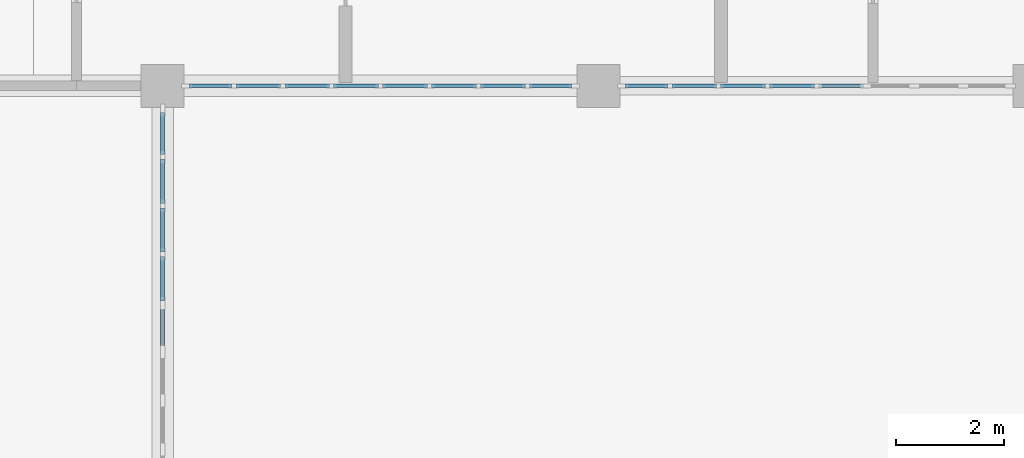
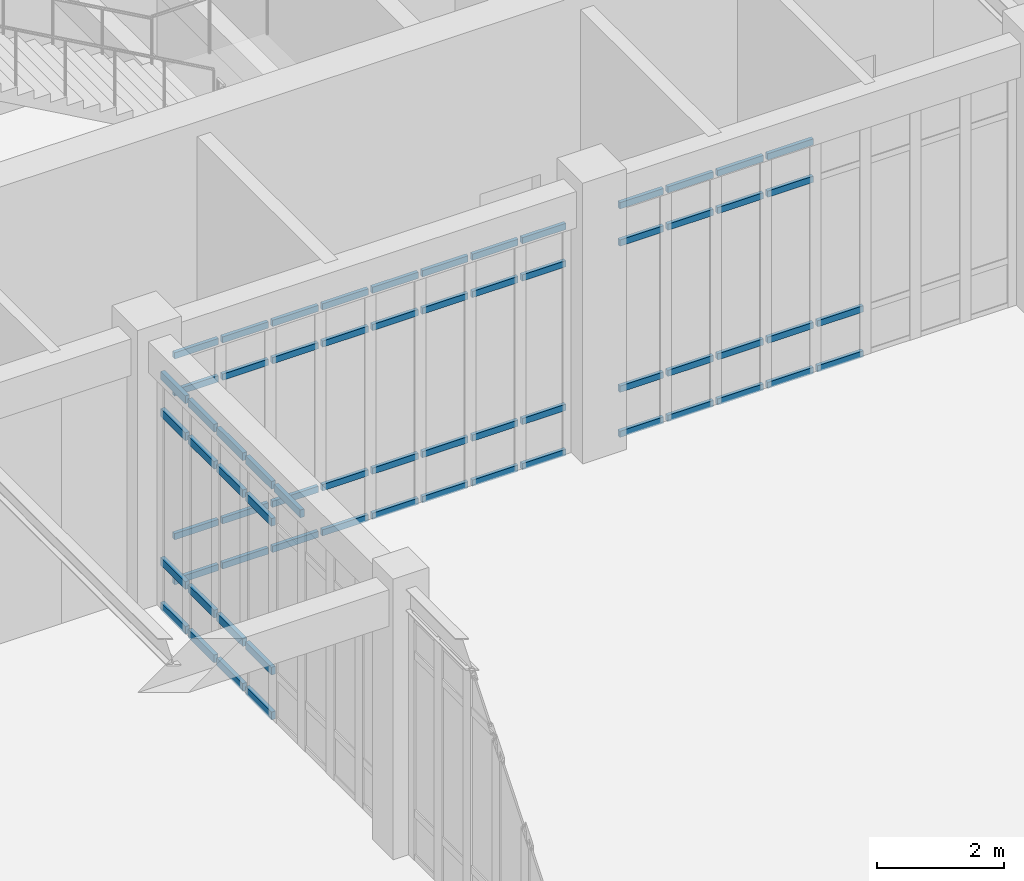
# One storey, part 24 of 62: 67 members, 3 elements without a shape of their own.
"""IFC4 building model written with IfcOpenShell, lengths in metres."""

from ifc_helpers import new_model, si_unit, direction, frame, origin, origin_2d, place, context, subcontext, project, spatial, rectangle, extrude, material, material_profile, profile_set, type_object, element, aggregate, save


model = new_model("IFC4")

# Units and contexts
model_context = context("Model", 3, precision=1e-05, world=origin(), true_north=direction((0.0, 1.0)))
body_context = subcontext(model_context, "Body", "Model", "MODEL_VIEW")
ifc_project = project(units=[si_unit("LENGTHUNIT", "METRE"), si_unit("AREAUNIT", "SQUARE_METRE"), si_unit("VOLUMEUNIT", "CUBIC_METRE"), si_unit("PLANEANGLEUNIT", "RADIAN"), si_unit("MASSUNIT", "GRAM", prefix="KILO")], contexts=[model_context])

# Site, building, storey
site_placement = place(None, origin())
site = spatial("IfcSite", under=ifc_project, at=site_placement, CompositionType="ELEMENT")
building_placement = place(site_placement, origin())
building = spatial("IfcBuilding", under=site, at=building_placement, Name="Tarnveldt Square Police Headquarters", CompositionType="ELEMENT")
storey_placement = place(building_placement, origin())
storey = spatial("IfcBuildingStorey", under=building, at=storey_placement, Name="L00", CompositionType="ELEMENT", Elevation=0.0)

# Curtain wall, members
ifc_material_1 = material(Name="Triple-glazed low-e laminated vision glass", Category="glass")
curtain_wall_type_1 = type_object("IfcCurtainWallType", Name="CW-LB-727x441", PredefinedType="USERDEFINED", material=ifc_material_1)
curtain_wall_1_placement = place(storey_placement, origin())
curtain_wall_1 = element("IfcCurtainWall", 1, at=curtain_wall_1_placement, inside=storey, type_object=curtain_wall_type_1, Name="L00 Curtain Wall CW-L00-099", ObjectType="GLAZED CURTAIN WALL", PredefinedType="USERDEFINED")
ifc_material_2 = material(Name="Thermally broken anodised aluminium 6063-T6", Category="aluminium")
ifc_material_profile_1 = material_profile(ifc_material_2, rectangle(XDim=0.06494140625, YDim=0.1201171875, at=origin_2d()), Name="CW-T65x120")
ifc_profile_set_1 = profile_set([ifc_material_profile_1], Name="Thermally broken anodised aluminium 6063-T6")
member_type_1 = type_object("IfcMemberType", Name="CWT-65x120", PredefinedType="USERDEFINED", material=ifc_profile_set_1)
member_1_placement = place(storey_placement, frame((49.090087890625, 96.0, 0.032470703125), z_axis=(1.0, 0.0, 0.0), x_axis=(0.0, 1.0, 0.0)))
member_1 = element("IfcMember", 2, at=member_1_placement, type_object=member_type_1, Name="CW-LB56 transom 1.1", ObjectType="TRANSOM", PredefinedType="USERDEFINED", context=body_context, shape_type="SweptSolid", body=[
    extrude(rectangle(XDim=0.06494140625, YDim=0.1201171875, at=origin_2d()), origin(), (0.0, 0.0, 1.0), 0.796142578125),
])
member_2_placement = place(storey_placement, frame((49.090087890625, 96.0, 0.89990234375), z_axis=(1.0, 0.0, 0.0), x_axis=(0.0, 1.0, 0.0)))
member_2 = element("IfcMember", 3, at=member_2_placement, type_object=member_type_1, Name="CW-LB56 transom 1.2", ObjectType="TRANSOM", PredefinedType="USERDEFINED", context=body_context, shape_type="SweptSolid", body=[
    extrude(rectangle(XDim=0.06494140625, YDim=0.1201171875, at=origin_2d()), origin(), (0.0, 0.0, 1.0), 0.796142578125),
])
member_3_placement = place(storey_placement, frame((49.090087890625, 96.0, 3.662109375), z_axis=(1.0, 0.0, 0.0), x_axis=(0.0, 1.0, 0.0)))
member_3 = element("IfcMember", 4, at=member_3_placement, type_object=member_type_1, Name="CW-LB56 transom 1.3", ObjectType="TRANSOM", PredefinedType="USERDEFINED", context=body_context, shape_type="SweptSolid", body=[
    extrude(rectangle(XDim=0.06494140625, YDim=0.1201171875, at=origin_2d()), origin(), (0.0, 0.0, 1.0), 0.796142578125),
])
member_4_placement = place(storey_placement, frame((49.090087890625, 96.0, 4.37939453125), z_axis=(1.0, 0.0, 0.0), x_axis=(0.0, 1.0, 0.0)))
member_4 = element("IfcMember", 5, at=member_4_placement, type_object=member_type_1, Name="CW-LB56 transom 1.4", ObjectType="TRANSOM", PredefinedType="USERDEFINED", context=body_context, shape_type="SweptSolid", body=[
    extrude(rectangle(XDim=0.06494140625, YDim=0.1201171875, at=origin_2d()), origin(), (0.0, 0.0, 1.0), 0.796142578125),
])
member_5_placement = place(storey_placement, frame((49.961181640625, 96.0, 0.032470703125), z_axis=(1.0, 0.0, 0.0), x_axis=(0.0, 1.0, 0.0)))
member_5 = element("IfcMember", 6, at=member_5_placement, type_object=member_type_1, Name="CW-LB56 transom 2.1", ObjectType="TRANSOM", PredefinedType="USERDEFINED", context=body_context, shape_type="SweptSolid", body=[
    extrude(rectangle(XDim=0.06494140625, YDim=0.1201171875, at=origin_2d()), origin(), (0.0, 0.0, 1.0), 0.833740234375),
])
member_6_placement = place(storey_placement, frame((49.961181640625, 96.0, 0.89990234375), z_axis=(1.0, 0.0, 0.0), x_axis=(0.0, 1.0, 0.0)))
member_6 = element("IfcMember", 7, at=member_6_placement, type_object=member_type_1, Name="CW-LB56 transom 2.2", ObjectType="TRANSOM", PredefinedType="USERDEFINED", context=body_context, shape_type="SweptSolid", body=[
    extrude(rectangle(XDim=0.06494140625, YDim=0.1201171875, at=origin_2d()), origin(), (0.0, 0.0, 1.0), 0.833740234375),
])
member_7_placement = place(storey_placement, frame((49.961181640625, 96.0, 3.662109375), z_axis=(1.0, 0.0, 0.0), x_axis=(0.0, 1.0, 0.0)))
member_7 = element("IfcMember", 8, at=member_7_placement, type_object=member_type_1, Name="CW-LB56 transom 2.3", ObjectType="TRANSOM", PredefinedType="USERDEFINED", context=body_context, shape_type="SweptSolid", body=[
    extrude(rectangle(XDim=0.06494140625, YDim=0.1201171875, at=origin_2d()), origin(), (0.0, 0.0, 1.0), 0.833740234375),
])
member_8_placement = place(storey_placement, frame((49.961181640625, 96.0, 4.37939453125), z_axis=(1.0, 0.0, 0.0), x_axis=(0.0, 1.0, 0.0)))
member_8 = element("IfcMember", 9, at=member_8_placement, type_object=member_type_1, Name="CW-LB56 transom 2.4", ObjectType="TRANSOM", PredefinedType="USERDEFINED", context=body_context, shape_type="SweptSolid", body=[
    extrude(rectangle(XDim=0.06494140625, YDim=0.1201171875, at=origin_2d()), origin(), (0.0, 0.0, 1.0), 0.833740234375),
])
member_9_placement = place(storey_placement, frame((50.8701171875, 96.0, 0.032470703125), z_axis=(1.0, 0.0, 0.0), x_axis=(0.0, 1.0, 0.0)))
member_9 = element("IfcMember", 10, at=member_9_placement, type_object=member_type_1, Name="CW-LB56 transom 3.1", ObjectType="TRANSOM", PredefinedType="USERDEFINED", context=body_context, shape_type="SweptSolid", body=[
    extrude(rectangle(XDim=0.06494140625, YDim=0.1201171875, at=origin_2d()), origin(), (0.0, 0.0, 1.0), 0.833740234375),
])
member_10_placement = place(storey_placement, frame((50.8701171875, 96.0, 0.89990234375), z_axis=(1.0, 0.0, 0.0), x_axis=(0.0, 1.0, 0.0)))
member_10 = element("IfcMember", 11, at=member_10_placement, type_object=member_type_1, Name="CW-LB56 transom 3.2", ObjectType="TRANSOM", PredefinedType="USERDEFINED", context=body_context, shape_type="SweptSolid", body=[
    extrude(rectangle(XDim=0.06494140625, YDim=0.1201171875, at=origin_2d()), origin(), (0.0, 0.0, 1.0), 0.833740234375),
])
member_11_placement = place(storey_placement, frame((50.8701171875, 96.0, 3.662109375), z_axis=(1.0, 0.0, 0.0), x_axis=(0.0, 1.0, 0.0)))
member_11 = element("IfcMember", 12, at=member_11_placement, type_object=member_type_1, Name="CW-LB56 transom 3.3", ObjectType="TRANSOM", PredefinedType="USERDEFINED", context=body_context, shape_type="SweptSolid", body=[
    extrude(rectangle(XDim=0.06494140625, YDim=0.1201171875, at=origin_2d()), origin(), (0.0, 0.0, 1.0), 0.833740234375),
])
member_12_placement = place(storey_placement, frame((50.8701171875, 96.0, 4.37939453125), z_axis=(1.0, 0.0, 0.0), x_axis=(0.0, 1.0, 0.0)))
member_12 = element("IfcMember", 13, at=member_12_placement, type_object=member_type_1, Name="CW-LB56 transom 3.4", ObjectType="TRANSOM", PredefinedType="USERDEFINED", context=body_context, shape_type="SweptSolid", body=[
    extrude(rectangle(XDim=0.06494140625, YDim=0.1201171875, at=origin_2d()), origin(), (0.0, 0.0, 1.0), 0.833740234375),
])
member_13_placement = place(storey_placement, frame((51.77880859375, 96.0, 0.032470703125), z_axis=(1.0, 0.0, 0.0), x_axis=(0.0, 1.0, 0.0)))
member_13 = element("IfcMember", 14, at=member_13_placement, type_object=member_type_1, Name="CW-LB56 transom 4.1", ObjectType="TRANSOM", PredefinedType="USERDEFINED", context=body_context, shape_type="SweptSolid", body=[
    extrude(rectangle(XDim=0.06494140625, YDim=0.1201171875, at=origin_2d()), origin(), (0.0, 0.0, 1.0), 0.833740234375),
])
member_14_placement = place(storey_placement, frame((51.77880859375, 96.0, 0.89990234375), z_axis=(1.0, 0.0, 0.0), x_axis=(0.0, 1.0, 0.0)))
member_14 = element("IfcMember", 15, at=member_14_placement, type_object=member_type_1, Name="CW-LB56 transom 4.2", ObjectType="TRANSOM", PredefinedType="USERDEFINED", context=body_context, shape_type="SweptSolid", body=[
    extrude(rectangle(XDim=0.06494140625, YDim=0.1201171875, at=origin_2d()), origin(), (0.0, 0.0, 1.0), 0.833740234375),
])
member_15_placement = place(storey_placement, frame((51.77880859375, 96.0, 3.662109375), z_axis=(1.0, 0.0, 0.0), x_axis=(0.0, 1.0, 0.0)))
member_15 = element("IfcMember", 16, at=member_15_placement, type_object=member_type_1, Name="CW-LB56 transom 4.3", ObjectType="TRANSOM", PredefinedType="USERDEFINED", context=body_context, shape_type="SweptSolid", body=[
    extrude(rectangle(XDim=0.06494140625, YDim=0.1201171875, at=origin_2d()), origin(), (0.0, 0.0, 1.0), 0.833740234375),
])
member_16_placement = place(storey_placement, frame((51.77880859375, 96.0, 4.37939453125), z_axis=(1.0, 0.0, 0.0), x_axis=(0.0, 1.0, 0.0)))
member_16 = element("IfcMember", 17, at=member_16_placement, type_object=member_type_1, Name="CW-LB56 transom 4.4", ObjectType="TRANSOM", PredefinedType="USERDEFINED", context=body_context, shape_type="SweptSolid", body=[
    extrude(rectangle(XDim=0.06494140625, YDim=0.1201171875, at=origin_2d()), origin(), (0.0, 0.0, 1.0), 0.833740234375),
])
member_17_placement = place(storey_placement, frame((52.6875, 96.0, 0.032470703125), z_axis=(1.0, 0.0, 0.0), x_axis=(0.0, 1.0, 0.0)))
member_17 = element("IfcMember", 18, at=member_17_placement, type_object=member_type_1, Name="CW-LB56 transom 5.1", ObjectType="TRANSOM", PredefinedType="USERDEFINED", context=body_context, shape_type="SweptSolid", body=[
    extrude(rectangle(XDim=0.06494140625, YDim=0.1201171875, at=origin_2d()), origin(), (0.0, 0.0, 1.0), 0.833740234375),
])
member_18_placement = place(storey_placement, frame((52.6875, 96.0, 0.89990234375), z_axis=(1.0, 0.0, 0.0), x_axis=(0.0, 1.0, 0.0)))
member_18 = element("IfcMember", 19, at=member_18_placement, type_object=member_type_1, Name="CW-LB56 transom 5.2", ObjectType="TRANSOM", PredefinedType="USERDEFINED", context=body_context, shape_type="SweptSolid", body=[
    extrude(rectangle(XDim=0.06494140625, YDim=0.1201171875, at=origin_2d()), origin(), (0.0, 0.0, 1.0), 0.833740234375),
])
member_19_placement = place(storey_placement, frame((52.6875, 96.0, 3.662109375), z_axis=(1.0, 0.0, 0.0), x_axis=(0.0, 1.0, 0.0)))
member_19 = element("IfcMember", 20, at=member_19_placement, type_object=member_type_1, Name="CW-LB56 transom 5.3", ObjectType="TRANSOM", PredefinedType="USERDEFINED", context=body_context, shape_type="SweptSolid", body=[
    extrude(rectangle(XDim=0.06494140625, YDim=0.1201171875, at=origin_2d()), origin(), (0.0, 0.0, 1.0), 0.833740234375),
])
member_20_placement = place(storey_placement, frame((52.6875, 96.0, 4.37939453125), z_axis=(1.0, 0.0, 0.0), x_axis=(0.0, 1.0, 0.0)))
member_20 = element("IfcMember", 21, at=member_20_placement, type_object=member_type_1, Name="CW-LB56 transom 5.4", ObjectType="TRANSOM", PredefinedType="USERDEFINED", context=body_context, shape_type="SweptSolid", body=[
    extrude(rectangle(XDim=0.06494140625, YDim=0.1201171875, at=origin_2d()), origin(), (0.0, 0.0, 1.0), 0.833740234375),
])
member_21_placement = place(storey_placement, frame((53.59619140625, 96.0, 0.032470703125), z_axis=(1.0, 0.0, 0.0), x_axis=(0.0, 1.0, 0.0)))
member_21 = element("IfcMember", 22, at=member_21_placement, type_object=member_type_1, Name="CW-LB56 transom 6.1", ObjectType="TRANSOM", PredefinedType="USERDEFINED", context=body_context, shape_type="SweptSolid", body=[
    extrude(rectangle(XDim=0.06494140625, YDim=0.1201171875, at=origin_2d()), origin(), (0.0, 0.0, 1.0), 0.833740234375),
])
member_22_placement = place(storey_placement, frame((53.59619140625, 96.0, 0.89990234375), z_axis=(1.0, 0.0, 0.0), x_axis=(0.0, 1.0, 0.0)))
member_22 = element("IfcMember", 23, at=member_22_placement, type_object=member_type_1, Name="CW-LB56 transom 6.2", ObjectType="TRANSOM", PredefinedType="USERDEFINED", context=body_context, shape_type="SweptSolid", body=[
    extrude(rectangle(XDim=0.06494140625, YDim=0.1201171875, at=origin_2d()), origin(), (0.0, 0.0, 1.0), 0.833740234375),
])
member_23_placement = place(storey_placement, frame((53.59619140625, 96.0, 3.662109375), z_axis=(1.0, 0.0, 0.0), x_axis=(0.0, 1.0, 0.0)))
member_23 = element("IfcMember", 24, at=member_23_placement, type_object=member_type_1, Name="CW-LB56 transom 6.3", ObjectType="TRANSOM", PredefinedType="USERDEFINED", context=body_context, shape_type="SweptSolid", body=[
    extrude(rectangle(XDim=0.06494140625, YDim=0.1201171875, at=origin_2d()), origin(), (0.0, 0.0, 1.0), 0.833740234375),
])
member_24_placement = place(storey_placement, frame((53.59619140625, 96.0, 4.37939453125), z_axis=(1.0, 0.0, 0.0), x_axis=(0.0, 1.0, 0.0)))
member_24 = element("IfcMember", 25, at=member_24_placement, type_object=member_type_1, Name="CW-LB56 transom 6.4", ObjectType="TRANSOM", PredefinedType="USERDEFINED", context=body_context, shape_type="SweptSolid", body=[
    extrude(rectangle(XDim=0.06494140625, YDim=0.1201171875, at=origin_2d()), origin(), (0.0, 0.0, 1.0), 0.833740234375),
])
member_25_placement = place(storey_placement, frame((54.5048828125, 96.0, 0.032470703125), z_axis=(1.0, 0.0, 0.0), x_axis=(0.0, 1.0, 0.0)))
member_25 = element("IfcMember", 26, at=member_25_placement, type_object=member_type_1, Name="CW-LB56 transom 7.1", ObjectType="TRANSOM", PredefinedType="USERDEFINED", context=body_context, shape_type="SweptSolid", body=[
    extrude(rectangle(XDim=0.06494140625, YDim=0.1201171875, at=origin_2d()), origin(), (0.0, 0.0, 1.0), 0.833984375),
])
member_26_placement = place(storey_placement, frame((54.5048828125, 96.0, 0.89990234375), z_axis=(1.0, 0.0, 0.0), x_axis=(0.0, 1.0, 0.0)))
member_26 = element("IfcMember", 27, at=member_26_placement, type_object=member_type_1, Name="CW-LB56 transom 7.2", ObjectType="TRANSOM", PredefinedType="USERDEFINED", context=body_context, shape_type="SweptSolid", body=[
    extrude(rectangle(XDim=0.06494140625, YDim=0.1201171875, at=origin_2d()), origin(), (0.0, 0.0, 1.0), 0.833984375),
])
member_27_placement = place(storey_placement, frame((54.5048828125, 96.0, 3.662109375), z_axis=(1.0, 0.0, 0.0), x_axis=(0.0, 1.0, 0.0)))
member_27 = element("IfcMember", 28, at=member_27_placement, type_object=member_type_1, Name="CW-LB56 transom 7.3", ObjectType="TRANSOM", PredefinedType="USERDEFINED", context=body_context, shape_type="SweptSolid", body=[
    extrude(rectangle(XDim=0.06494140625, YDim=0.1201171875, at=origin_2d()), origin(), (0.0, 0.0, 1.0), 0.833984375),
])
member_28_placement = place(storey_placement, frame((54.5048828125, 96.0, 4.37939453125), z_axis=(1.0, 0.0, 0.0), x_axis=(0.0, 1.0, 0.0)))
member_28 = element("IfcMember", 29, at=member_28_placement, type_object=member_type_1, Name="CW-LB56 transom 7.4", ObjectType="TRANSOM", PredefinedType="USERDEFINED", context=body_context, shape_type="SweptSolid", body=[
    extrude(rectangle(XDim=0.06494140625, YDim=0.1201171875, at=origin_2d()), origin(), (0.0, 0.0, 1.0), 0.833984375),
])
member_29_placement = place(storey_placement, frame((55.413818359375, 96.0, 0.032470703125), z_axis=(1.0, 0.0, 0.0), x_axis=(0.0, 1.0, 0.0)))
member_29 = element("IfcMember", 30, at=member_29_placement, type_object=member_type_1, Name="CW-LB56 transom 8.1", ObjectType="TRANSOM", PredefinedType="USERDEFINED", context=body_context, shape_type="SweptSolid", body=[
    extrude(rectangle(XDim=0.06494140625, YDim=0.1201171875, at=origin_2d()), origin(), (0.0, 0.0, 1.0), 0.796142578125),
])
member_30_placement = place(storey_placement, frame((55.413818359375, 96.0, 0.89990234375), z_axis=(1.0, 0.0, 0.0), x_axis=(0.0, 1.0, 0.0)))
member_30 = element("IfcMember", 31, at=member_30_placement, type_object=member_type_1, Name="CW-LB56 transom 8.2", ObjectType="TRANSOM", PredefinedType="USERDEFINED", context=body_context, shape_type="SweptSolid", body=[
    extrude(rectangle(XDim=0.06494140625, YDim=0.1201171875, at=origin_2d()), origin(), (0.0, 0.0, 1.0), 0.796142578125),
])
member_31_placement = place(storey_placement, frame((55.413818359375, 96.0, 3.662109375), z_axis=(1.0, 0.0, 0.0), x_axis=(0.0, 1.0, 0.0)))
member_31 = element("IfcMember", 32, at=member_31_placement, type_object=member_type_1, Name="CW-LB56 transom 8.3", ObjectType="TRANSOM", PredefinedType="USERDEFINED", context=body_context, shape_type="SweptSolid", body=[
    extrude(rectangle(XDim=0.06494140625, YDim=0.1201171875, at=origin_2d()), origin(), (0.0, 0.0, 1.0), 0.796142578125),
])
member_32_placement = place(storey_placement, frame((55.413818359375, 96.0, 4.37939453125), z_axis=(1.0, 0.0, 0.0), x_axis=(0.0, 1.0, 0.0)))
member_32 = element("IfcMember", 33, at=member_32_placement, type_object=member_type_1, Name="CW-LB56 transom 8.4", ObjectType="TRANSOM", PredefinedType="USERDEFINED", context=body_context, shape_type="SweptSolid", body=[
    extrude(rectangle(XDim=0.06494140625, YDim=0.1201171875, at=origin_2d()), origin(), (0.0, 0.0, 1.0), 0.796142578125),
])
aggregate(curtain_wall_1, [member_1, member_2, member_3, member_4, member_5, member_6, member_7, member_8, member_9, member_10, member_11, member_12, member_13, member_14, member_15, member_16, member_17, member_18, member_19, member_20, member_21, member_22, member_23, member_24, member_25, member_26, member_27, member_28, member_29, member_30, member_31, member_32])

curtain_wall_type_2 = type_object("IfcCurtainWallType", Name="CW-LB-727x446", PredefinedType="USERDEFINED", material=ifc_material_1)
curtain_wall_2_placement = place(storey_placement, origin())
curtain_wall_2 = element("IfcCurtainWall", 34, at=curtain_wall_2_placement, inside=storey, type_object=curtain_wall_type_2, Name="L00 Curtain Wall CW-L00-100", ObjectType="GLAZED CURTAIN WALL", PredefinedType="USERDEFINED")
member_33_placement = place(storey_placement, frame((57.18994140625, 96.0, 0.032470703125), z_axis=(1.0, 0.0, 0.0), x_axis=(0.0, 1.0, 0.0)))
member_33 = element("IfcMember", 35, at=member_33_placement, type_object=member_type_1, Name="CW-LB57 transom 1.1", ObjectType="TRANSOM", PredefinedType="USERDEFINED", context=body_context, shape_type="SweptSolid", body=[
    extrude(rectangle(XDim=0.06494140625, YDim=0.1201171875, at=origin_2d()), origin(), (0.0, 0.0, 1.0), 0.79638671875),
])
member_34_placement = place(storey_placement, frame((57.18994140625, 96.0, 0.89990234375), z_axis=(1.0, 0.0, 0.0), x_axis=(0.0, 1.0, 0.0)))
member_34 = element("IfcMember", 36, at=member_34_placement, type_object=member_type_1, Name="CW-LB57 transom 1.2", ObjectType="TRANSOM", PredefinedType="USERDEFINED", context=body_context, shape_type="SweptSolid", body=[
    extrude(rectangle(XDim=0.06494140625, YDim=0.1201171875, at=origin_2d()), origin(), (0.0, 0.0, 1.0), 0.79638671875),
])
member_35_placement = place(storey_placement, frame((57.18994140625, 96.0, 3.7119140625), z_axis=(1.0, 0.0, 0.0), x_axis=(0.0, 1.0, 0.0)))
member_35 = element("IfcMember", 37, at=member_35_placement, type_object=member_type_1, Name="CW-LB57 transom 1.3", ObjectType="TRANSOM", PredefinedType="USERDEFINED", context=body_context, shape_type="SweptSolid", body=[
    extrude(rectangle(XDim=0.06494140625, YDim=0.1201171875, at=origin_2d()), origin(), (0.0, 0.0, 1.0), 0.79638671875),
])
member_36_placement = place(storey_placement, frame((57.18994140625, 96.0, 4.429443359375), z_axis=(1.0, 0.0, 0.0), x_axis=(0.0, 1.0, 0.0)))
member_36 = element("IfcMember", 38, at=member_36_placement, type_object=member_type_1, Name="CW-LB57 transom 1.4", ObjectType="TRANSOM", PredefinedType="USERDEFINED", context=body_context, shape_type="SweptSolid", body=[
    extrude(rectangle(XDim=0.06494140625, YDim=0.1201171875, at=origin_2d()), origin(), (0.0, 0.0, 1.0), 0.79638671875),
])
member_37_placement = place(storey_placement, frame((58.061279296875, 96.0, 0.032470703125), z_axis=(1.0, 0.0, 0.0), x_axis=(0.0, 1.0, 0.0)))
member_37 = element("IfcMember", 39, at=member_37_placement, type_object=member_type_1, Name="CW-LB57 transom 2.1", ObjectType="TRANSOM", PredefinedType="USERDEFINED", context=body_context, shape_type="SweptSolid", body=[
    extrude(rectangle(XDim=0.06494140625, YDim=0.1201171875, at=origin_2d()), origin(), (0.0, 0.0, 1.0), 0.833740234375),
])
member_38_placement = place(storey_placement, frame((58.061279296875, 96.0, 0.89990234375), z_axis=(1.0, 0.0, 0.0), x_axis=(0.0, 1.0, 0.0)))
member_38 = element("IfcMember", 40, at=member_38_placement, type_object=member_type_1, Name="CW-LB57 transom 2.2", ObjectType="TRANSOM", PredefinedType="USERDEFINED", context=body_context, shape_type="SweptSolid", body=[
    extrude(rectangle(XDim=0.06494140625, YDim=0.1201171875, at=origin_2d()), origin(), (0.0, 0.0, 1.0), 0.833740234375),
])
member_39_placement = place(storey_placement, frame((58.061279296875, 96.0, 3.7119140625), z_axis=(1.0, 0.0, 0.0), x_axis=(0.0, 1.0, 0.0)))
member_39 = element("IfcMember", 41, at=member_39_placement, type_object=member_type_1, Name="CW-LB57 transom 2.3", ObjectType="TRANSOM", PredefinedType="USERDEFINED", context=body_context, shape_type="SweptSolid", body=[
    extrude(rectangle(XDim=0.06494140625, YDim=0.1201171875, at=origin_2d()), origin(), (0.0, 0.0, 1.0), 0.833740234375),
])
member_40_placement = place(storey_placement, frame((58.061279296875, 96.0, 4.429443359375), z_axis=(1.0, 0.0, 0.0), x_axis=(0.0, 1.0, 0.0)))
member_40 = element("IfcMember", 42, at=member_40_placement, type_object=member_type_1, Name="CW-LB57 transom 2.4", ObjectType="TRANSOM", PredefinedType="USERDEFINED", context=body_context, shape_type="SweptSolid", body=[
    extrude(rectangle(XDim=0.06494140625, YDim=0.1201171875, at=origin_2d()), origin(), (0.0, 0.0, 1.0), 0.833740234375),
])
member_41_placement = place(storey_placement, frame((58.969970703125, 96.0, 0.032470703125), z_axis=(1.0, 0.0, 0.0), x_axis=(0.0, 1.0, 0.0)))
member_41 = element("IfcMember", 43, at=member_41_placement, type_object=member_type_1, Name="CW-LB57 transom 3.1", ObjectType="TRANSOM", PredefinedType="USERDEFINED", context=body_context, shape_type="SweptSolid", body=[
    extrude(rectangle(XDim=0.06494140625, YDim=0.1201171875, at=origin_2d()), origin(), (0.0, 0.0, 1.0), 0.833740234375),
])
member_42_placement = place(storey_placement, frame((58.969970703125, 96.0, 0.89990234375), z_axis=(1.0, 0.0, 0.0), x_axis=(0.0, 1.0, 0.0)))
member_42 = element("IfcMember", 44, at=member_42_placement, type_object=member_type_1, Name="CW-LB57 transom 3.2", ObjectType="TRANSOM", PredefinedType="USERDEFINED", context=body_context, shape_type="SweptSolid", body=[
    extrude(rectangle(XDim=0.06494140625, YDim=0.1201171875, at=origin_2d()), origin(), (0.0, 0.0, 1.0), 0.833740234375),
])
member_43_placement = place(storey_placement, frame((58.969970703125, 96.0, 3.7119140625), z_axis=(1.0, 0.0, 0.0), x_axis=(0.0, 1.0, 0.0)))
member_43 = element("IfcMember", 45, at=member_43_placement, type_object=member_type_1, Name="CW-LB57 transom 3.3", ObjectType="TRANSOM", PredefinedType="USERDEFINED", context=body_context, shape_type="SweptSolid", body=[
    extrude(rectangle(XDim=0.06494140625, YDim=0.1201171875, at=origin_2d()), origin(), (0.0, 0.0, 1.0), 0.833740234375),
])
member_44_placement = place(storey_placement, frame((58.969970703125, 96.0, 4.429443359375), z_axis=(1.0, 0.0, 0.0), x_axis=(0.0, 1.0, 0.0)))
member_44 = element("IfcMember", 46, at=member_44_placement, type_object=member_type_1, Name="CW-LB57 transom 3.4", ObjectType="TRANSOM", PredefinedType="USERDEFINED", context=body_context, shape_type="SweptSolid", body=[
    extrude(rectangle(XDim=0.06494140625, YDim=0.1201171875, at=origin_2d()), origin(), (0.0, 0.0, 1.0), 0.833740234375),
])
member_45_placement = place(storey_placement, frame((59.878662109375, 96.0, 0.032470703125), z_axis=(1.0, 0.0, 0.0), x_axis=(0.0, 1.0, 0.0)))
member_45 = element("IfcMember", 47, at=member_45_placement, type_object=member_type_1, Name="CW-LB57 transom 4.1", ObjectType="TRANSOM", PredefinedType="USERDEFINED", context=body_context, shape_type="SweptSolid", body=[
    extrude(rectangle(XDim=0.06494140625, YDim=0.1201171875, at=origin_2d()), origin(), (0.0, 0.0, 1.0), 0.833740234375),
])
member_46_placement = place(storey_placement, frame((59.878662109375, 96.0, 0.89990234375), z_axis=(1.0, 0.0, 0.0), x_axis=(0.0, 1.0, 0.0)))
member_46 = element("IfcMember", 48, at=member_46_placement, type_object=member_type_1, Name="CW-LB57 transom 4.2", ObjectType="TRANSOM", PredefinedType="USERDEFINED", context=body_context, shape_type="SweptSolid", body=[
    extrude(rectangle(XDim=0.06494140625, YDim=0.1201171875, at=origin_2d()), origin(), (0.0, 0.0, 1.0), 0.833740234375),
])
member_47_placement = place(storey_placement, frame((59.878662109375, 96.0, 3.7119140625), z_axis=(1.0, 0.0, 0.0), x_axis=(0.0, 1.0, 0.0)))
member_47 = element("IfcMember", 49, at=member_47_placement, type_object=member_type_1, Name="CW-LB57 transom 4.3", ObjectType="TRANSOM", PredefinedType="USERDEFINED", context=body_context, shape_type="SweptSolid", body=[
    extrude(rectangle(XDim=0.06494140625, YDim=0.1201171875, at=origin_2d()), origin(), (0.0, 0.0, 1.0), 0.833740234375),
])
member_48_placement = place(storey_placement, frame((59.878662109375, 96.0, 4.429443359375), z_axis=(1.0, 0.0, 0.0), x_axis=(0.0, 1.0, 0.0)))
member_48 = element("IfcMember", 50, at=member_48_placement, type_object=member_type_1, Name="CW-LB57 transom 4.4", ObjectType="TRANSOM", PredefinedType="USERDEFINED", context=body_context, shape_type="SweptSolid", body=[
    extrude(rectangle(XDim=0.06494140625, YDim=0.1201171875, at=origin_2d()), origin(), (0.0, 0.0, 1.0), 0.833740234375),
])
member_49_placement = place(storey_placement, frame((60.78759765625, 96.0, 0.032470703125), z_axis=(1.0, 0.0, 0.0), x_axis=(0.0, 1.0, 0.0)))
member_49 = element("IfcMember", 51, at=member_49_placement, type_object=member_type_1, Name="CW-LB57 transom 5.1", ObjectType="TRANSOM", PredefinedType="USERDEFINED", context=body_context, shape_type="SweptSolid", body=[
    extrude(rectangle(XDim=0.06494140625, YDim=0.1201171875, at=origin_2d()), origin(), (0.0, 0.0, 1.0), 0.833740234375),
])
member_50_placement = place(storey_placement, frame((60.78759765625, 96.0, 0.89990234375), z_axis=(1.0, 0.0, 0.0), x_axis=(0.0, 1.0, 0.0)))
member_50 = element("IfcMember", 52, at=member_50_placement, type_object=member_type_1, Name="CW-LB57 transom 5.2", ObjectType="TRANSOM", PredefinedType="USERDEFINED", context=body_context, shape_type="SweptSolid", body=[
    extrude(rectangle(XDim=0.06494140625, YDim=0.1201171875, at=origin_2d()), origin(), (0.0, 0.0, 1.0), 0.833740234375),
])
aggregate(curtain_wall_2, [member_33, member_34, member_35, member_36, member_37, member_38, member_39, member_40, member_41, member_42, member_43, member_44, member_45, member_46, member_47, member_48, member_49, member_50])

curtain_wall_type_3 = type_object("IfcCurtainWallType", Name="CW-WG-724x451", PredefinedType="USERDEFINED", material=ifc_material_1)
curtain_wall_3_placement = place(storey_placement, origin())
curtain_wall_3 = element("IfcCurtainWall", 53, at=curtain_wall_3_placement, inside=storey, type_object=curtain_wall_type_3, Name="L00 Curtain Wall CW-L00-066", ObjectType="GLAZED CURTAIN WALL", PredefinedType="USERDEFINED")
ifc_material_profile_2 = material_profile(ifc_material_2, rectangle(XDim=0.074951171875, YDim=0.14990234375, at=origin_2d()), Name="CW-T75x150")
ifc_profile_set_2 = profile_set([ifc_material_profile_2], Name="Thermally broken anodised aluminium 6063-T6")
member_type_2 = type_object("IfcMemberType", Name="CWT-75x150", PredefinedType="USERDEFINED", material=ifc_profile_set_2)
member_51_placement = place(storey_placement, frame((48.60009765625, 91.099365234375, 4.474609375), z_axis=(0.0, 1.0, 0.0), x_axis=(-1.0, 0.0, 0.0)))
member_51 = element("IfcMember", 54, at=member_51_placement, type_object=member_type_2, Name="CW-WG27 transom 4.4", ObjectType="TRANSOM", PredefinedType="USERDEFINED", context=body_context, shape_type="SweptSolid", body=[
    extrude(rectangle(XDim=0.074951171875, YDim=0.14990234375, at=origin_2d()), origin(), (0.0, 0.0, 1.0), 0.820556640625),
])
member_52_placement = place(storey_placement, frame((48.60009765625, 92.0048828125, 0.03759765625), z_axis=(0.0, 1.0, 0.0), x_axis=(-1.0, 0.0, 0.0)))
member_52 = element("IfcMember", 55, at=member_52_placement, type_object=member_type_2, Name="CW-WG27 transom 5.1", ObjectType="TRANSOM", PredefinedType="USERDEFINED", context=body_context, shape_type="SweptSolid", body=[
    extrude(rectangle(XDim=0.074951171875, YDim=0.14990234375, at=origin_2d()), origin(), (0.0, 0.0, 1.0), 0.82080078125),
])
member_53_placement = place(storey_placement, frame((48.60009765625, 92.0048828125, 0.89990234375), z_axis=(0.0, 1.0, 0.0), x_axis=(-1.0, 0.0, 0.0)))
member_53 = element("IfcMember", 56, at=member_53_placement, type_object=member_type_2, Name="CW-WG27 transom 5.2", ObjectType="TRANSOM", PredefinedType="USERDEFINED", context=body_context, shape_type="SweptSolid", body=[
    extrude(rectangle(XDim=0.074951171875, YDim=0.14990234375, at=origin_2d()), origin(), (0.0, 0.0, 1.0), 0.82080078125),
])
member_54_placement = place(storey_placement, frame((48.60009765625, 92.0048828125, 3.761962890625), z_axis=(0.0, 1.0, 0.0), x_axis=(-1.0, 0.0, 0.0)))
member_54 = element("IfcMember", 57, at=member_54_placement, type_object=member_type_2, Name="CW-WG27 transom 5.3", ObjectType="TRANSOM", PredefinedType="USERDEFINED", context=body_context, shape_type="SweptSolid", body=[
    extrude(rectangle(XDim=0.074951171875, YDim=0.14990234375, at=origin_2d()), origin(), (0.0, 0.0, 1.0), 0.82080078125),
])
member_55_placement = place(storey_placement, frame((48.60009765625, 92.0048828125, 4.474609375), z_axis=(0.0, 1.0, 0.0), x_axis=(-1.0, 0.0, 0.0)))
member_55 = element("IfcMember", 58, at=member_55_placement, type_object=member_type_2, Name="CW-WG27 transom 5.4", ObjectType="TRANSOM", PredefinedType="USERDEFINED", context=body_context, shape_type="SweptSolid", body=[
    extrude(rectangle(XDim=0.074951171875, YDim=0.14990234375, at=origin_2d()), origin(), (0.0, 0.0, 1.0), 0.82080078125),
])
member_56_placement = place(storey_placement, frame((48.60009765625, 92.91064453125, 0.03759765625), z_axis=(0.0, 1.0, 0.0), x_axis=(-1.0, 0.0, 0.0)))
member_56 = element("IfcMember", 59, at=member_56_placement, type_object=member_type_2, Name="CW-WG27 transom 6.1", ObjectType="TRANSOM", PredefinedType="USERDEFINED", context=body_context, shape_type="SweptSolid", body=[
    extrude(rectangle(XDim=0.074951171875, YDim=0.14990234375, at=origin_2d()), origin(), (0.0, 0.0, 1.0), 0.820556640625),
])
member_57_placement = place(storey_placement, frame((48.60009765625, 92.91064453125, 0.89990234375), z_axis=(0.0, 1.0, 0.0), x_axis=(-1.0, 0.0, 0.0)))
member_57 = element("IfcMember", 60, at=member_57_placement, type_object=member_type_2, Name="CW-WG27 transom 6.2", ObjectType="TRANSOM", PredefinedType="USERDEFINED", context=body_context, shape_type="SweptSolid", body=[
    extrude(rectangle(XDim=0.074951171875, YDim=0.14990234375, at=origin_2d()), origin(), (0.0, 0.0, 1.0), 0.820556640625),
])
member_58_placement = place(storey_placement, frame((48.60009765625, 92.91064453125, 3.761962890625), z_axis=(0.0, 1.0, 0.0), x_axis=(-1.0, 0.0, 0.0)))
member_58 = element("IfcMember", 61, at=member_58_placement, type_object=member_type_2, Name="CW-WG27 transom 6.3", ObjectType="TRANSOM", PredefinedType="USERDEFINED", context=body_context, shape_type="SweptSolid", body=[
    extrude(rectangle(XDim=0.074951171875, YDim=0.14990234375, at=origin_2d()), origin(), (0.0, 0.0, 1.0), 0.820556640625),
])
member_59_placement = place(storey_placement, frame((48.60009765625, 92.91064453125, 4.474609375), z_axis=(0.0, 1.0, 0.0), x_axis=(-1.0, 0.0, 0.0)))
member_59 = element("IfcMember", 62, at=member_59_placement, type_object=member_type_2, Name="CW-WG27 transom 6.4", ObjectType="TRANSOM", PredefinedType="USERDEFINED", context=body_context, shape_type="SweptSolid", body=[
    extrude(rectangle(XDim=0.074951171875, YDim=0.14990234375, at=origin_2d()), origin(), (0.0, 0.0, 1.0), 0.820556640625),
])
member_60_placement = place(storey_placement, frame((48.60009765625, 93.816162109375, 0.03759765625), z_axis=(0.0, 1.0, 0.0), x_axis=(-1.0, 0.0, 0.0)))
member_60 = element("IfcMember", 63, at=member_60_placement, type_object=member_type_2, Name="CW-WG27 transom 7.1", ObjectType="TRANSOM", PredefinedType="USERDEFINED", context=body_context, shape_type="SweptSolid", body=[
    extrude(rectangle(XDim=0.074951171875, YDim=0.14990234375, at=origin_2d()), origin(), (0.0, 0.0, 1.0), 0.82080078125),
])
member_61_placement = place(storey_placement, frame((48.60009765625, 93.816162109375, 0.89990234375), z_axis=(0.0, 1.0, 0.0), x_axis=(-1.0, 0.0, 0.0)))
member_61 = element("IfcMember", 64, at=member_61_placement, type_object=member_type_2, Name="CW-WG27 transom 7.2", ObjectType="TRANSOM", PredefinedType="USERDEFINED", context=body_context, shape_type="SweptSolid", body=[
    extrude(rectangle(XDim=0.074951171875, YDim=0.14990234375, at=origin_2d()), origin(), (0.0, 0.0, 1.0), 0.82080078125),
])
member_62_placement = place(storey_placement, frame((48.60009765625, 93.816162109375, 3.761962890625), z_axis=(0.0, 1.0, 0.0), x_axis=(-1.0, 0.0, 0.0)))
member_62 = element("IfcMember", 65, at=member_62_placement, type_object=member_type_2, Name="CW-WG27 transom 7.3", ObjectType="TRANSOM", PredefinedType="USERDEFINED", context=body_context, shape_type="SweptSolid", body=[
    extrude(rectangle(XDim=0.074951171875, YDim=0.14990234375, at=origin_2d()), origin(), (0.0, 0.0, 1.0), 0.82080078125),
])
member_63_placement = place(storey_placement, frame((48.60009765625, 93.816162109375, 4.474609375), z_axis=(0.0, 1.0, 0.0), x_axis=(-1.0, 0.0, 0.0)))
member_63 = element("IfcMember", 66, at=member_63_placement, type_object=member_type_2, Name="CW-WG27 transom 7.4", ObjectType="TRANSOM", PredefinedType="USERDEFINED", context=body_context, shape_type="SweptSolid", body=[
    extrude(rectangle(XDim=0.074951171875, YDim=0.14990234375, at=origin_2d()), origin(), (0.0, 0.0, 1.0), 0.82080078125),
])
member_64_placement = place(storey_placement, frame((48.60009765625, 94.721923828125, 0.03759765625), z_axis=(0.0, 1.0, 0.0), x_axis=(-1.0, 0.0, 0.0)))
member_64 = element("IfcMember", 67, at=member_64_placement, type_object=member_type_2, Name="CW-WG27 transom 8.1", ObjectType="TRANSOM", PredefinedType="USERDEFINED", context=body_context, shape_type="SweptSolid", body=[
    extrude(rectangle(XDim=0.074951171875, YDim=0.14990234375, at=origin_2d()), origin(), (0.0, 0.0, 1.0), 0.778076171875),
])
member_65_placement = place(storey_placement, frame((48.60009765625, 94.721923828125, 0.89990234375), z_axis=(0.0, 1.0, 0.0), x_axis=(-1.0, 0.0, 0.0)))
member_65 = element("IfcMember", 68, at=member_65_placement, type_object=member_type_2, Name="CW-WG27 transom 8.2", ObjectType="TRANSOM", PredefinedType="USERDEFINED", context=body_context, shape_type="SweptSolid", body=[
    extrude(rectangle(XDim=0.074951171875, YDim=0.14990234375, at=origin_2d()), origin(), (0.0, 0.0, 1.0), 0.778076171875),
])
member_66_placement = place(storey_placement, frame((48.60009765625, 94.721923828125, 3.761962890625), z_axis=(0.0, 1.0, 0.0), x_axis=(-1.0, 0.0, 0.0)))
member_66 = element("IfcMember", 69, at=member_66_placement, type_object=member_type_2, Name="CW-WG27 transom 8.3", ObjectType="TRANSOM", PredefinedType="USERDEFINED", context=body_context, shape_type="SweptSolid", body=[
    extrude(rectangle(XDim=0.074951171875, YDim=0.14990234375, at=origin_2d()), origin(), (0.0, 0.0, 1.0), 0.778076171875),
])
member_67_placement = place(storey_placement, frame((48.60009765625, 94.721923828125, 4.474609375), z_axis=(0.0, 1.0, 0.0), x_axis=(-1.0, 0.0, 0.0)))
member_67 = element("IfcMember", 70, at=member_67_placement, type_object=member_type_2, Name="CW-WG27 transom 8.4", ObjectType="TRANSOM", PredefinedType="USERDEFINED", context=body_context, shape_type="SweptSolid", body=[
    extrude(rectangle(XDim=0.074951171875, YDim=0.14990234375, at=origin_2d()), origin(), (0.0, 0.0, 1.0), 0.778076171875),
])
aggregate(curtain_wall_3, [member_51, member_52, member_53, member_54, member_55, member_56, member_57, member_58, member_59, member_60, member_61, member_62, member_63, member_64, member_65, member_66, member_67])

save(model, "model.ifc")
